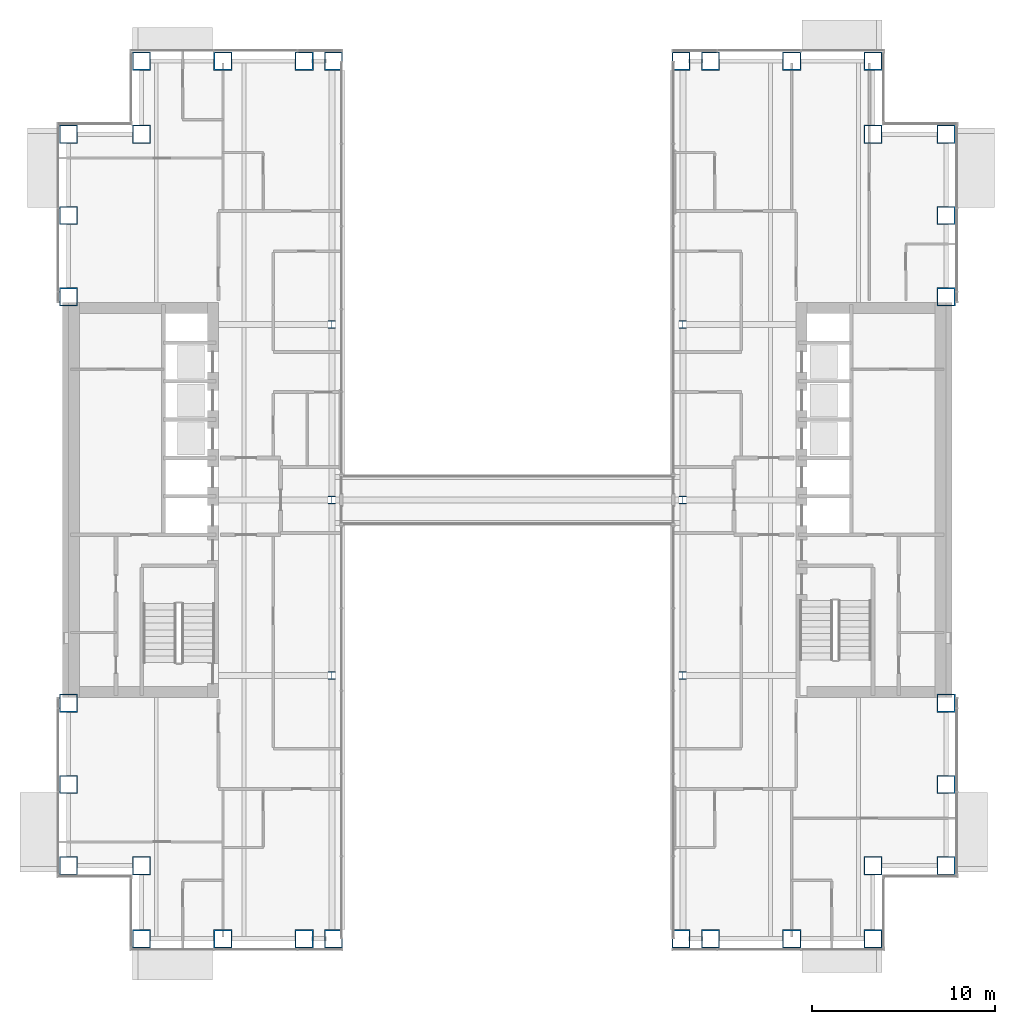
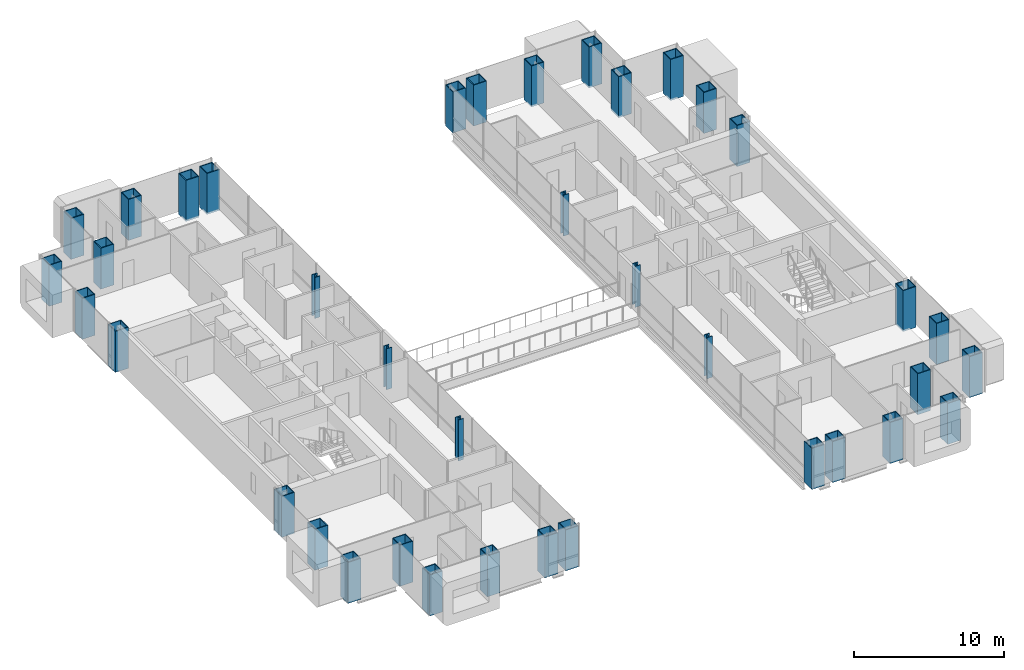
# One storey, part 1 of 21: 38 columns.
"""IFC4 building model written with IfcOpenShell, lengths in metres."""

from ifc_helpers import new_model, si_unit, direction, frame, origin, origin_2d, place, context, subcontext, project, spatial, hollow_rectangle, i_section, extrude, material, material_profile, profile_set, type_object, element, save


model = new_model("IFC4")

# Units and contexts
model_context = context("Model", 3, precision=1e-05, world=origin(), true_north=direction((0.0, 1.0)))
body_context = subcontext(model_context, "Body", "Model", "MODEL_VIEW")
ifc_project = project(units=[si_unit("LENGTHUNIT", "METRE"), si_unit("AREAUNIT", "SQUARE_METRE"), si_unit("VOLUMEUNIT", "CUBIC_METRE"), si_unit("PLANEANGLEUNIT", "RADIAN"), si_unit("MASSUNIT", "GRAM", prefix="KILO")], contexts=[model_context])

# Site, building, storey
site_placement = place(None, origin())
site = spatial("IfcSite", under=ifc_project, at=site_placement, CompositionType="ELEMENT")
building_placement = place(site_placement, origin())
building = spatial("IfcBuilding", under=site, at=building_placement, Name="Cobrizo Arcos Hotel Tower", CompositionType="ELEMENT")
storey_placement = place(building_placement, frame((0.0, 0.0, 81.0)))
storey = spatial("IfcBuildingStorey", under=building, at=storey_placement, Name="L19", CompositionType="ELEMENT", Elevation=81.0)

# Columns
ifc_material_1 = material(Name="Steel ASTM A572 Grade 50", Category="steel")
ifc_material_profile_1 = material_profile(ifc_material_1, hollow_rectangle(XDim=1.0, YDim=1.0, WallThickness=0.06005859375, at=origin_2d()), Name="BOX 1000X1000X60")
ifc_profile_set_1 = profile_set([ifc_material_profile_1], Name="Steel ASTM A572 Grade 50")
column_type_1 = type_object("IfcColumnType", Name="BOX 1000X1000X60 column", PredefinedType="COLUMN", material=ifc_profile_set_1)
for number, where, z_axis, x_axis, name in (
    (1, (-20.0, 24.0, -0.14990234375), (0.0, 0.0, 1.0), (1.0, 0.0, 0.0), "Perimeter column C4, L19, no. 00"),
    (2, (-20.0, -24.0, -0.14990234375), (0.0, 0.0, 1.0), (1.0, 0.0, 0.0), "Perimeter column C4, L19, no. 01"),
    (3, (-15.555908203125, 24.0, -0.14990234375), (0.0, 0.0, 1.0), (1.0, 0.0, 0.0), "Perimeter column C4, L19, no. 02"),
    (4, (-15.555908203125, -24.0, -0.14990234375), (0.0, 0.0, 1.0), (1.0, 0.0, 0.0), "Perimeter column C4, L19, no. 03"),
    (5, (-11.111083984375, 24.0, -0.14990234375), (0.0, 0.0, 1.0), (1.0, 0.0, 0.0), "Perimeter column C4, L19, no. 04"),
    (6, (-11.111083984375, -24.0, -0.14990234375), (0.0, 0.0, 1.0), (1.0, 0.0, 0.0), "Perimeter column C4, L19, no. 05"),
    (7, (11.111083984375, 24.0, -0.14990234375), (0.0, 0.0, 1.0), (1.0, 0.0, 0.0), "Perimeter column C4, L19, no. 06"),
    (8, (11.111083984375, -24.0, -0.14990234375), (0.0, 0.0, 1.0), (1.0, 0.0, 0.0), "Perimeter column C4, L19, no. 07"),
    (9, (15.555908203125, 24.0, -0.14990234375), (0.0, 0.0, 1.0), (1.0, 0.0, 0.0), "Perimeter column C4, L19, no. 08"),
    (10, (15.555908203125, -24.0, -0.14990234375), (0.0, 0.0, 1.0), (1.0, 0.0, 0.0), "Perimeter column C4, L19, no. 09"),
    (11, (20.0, 24.0, -0.14990234375), (0.0, 0.0, 1.0), (1.0, 0.0, 0.0), "Perimeter column C4, L19, no. 10"),
    (12, (20.0, -24.0, -0.14990234375), (0.0, 0.0, 1.0), (1.0, 0.0, 0.0), "Perimeter column C4, L19, no. 11"),
    (13, (24.0, -20.0, -0.14990234375), (0.0, 0.0, 1.0), (1.0, 0.0, 0.0), "Perimeter column C4, L19, no. 12"),
    (14, (-24.0, -20.0, -0.14990234375), (0.0, 0.0, 1.0), (1.0, 0.0, 0.0), "Perimeter column C4, L19, no. 13"),
    (15, (24.0, -15.555908203125, -0.14990234375), (0.0, 0.0, 1.0), (1.0, 0.0, 0.0), "Perimeter column C4, L19, no. 14"),
    (16, (-24.0, -15.555908203125, -0.14990234375), (0.0, 0.0, 1.0), (1.0, 0.0, 0.0), "Perimeter column C4, L19, no. 15"),
    (17, (24.0, -11.111083984375, -0.14990234375), (0.0, 0.0, 1.0), (1.0, 0.0, 0.0), "Perimeter column C4, L19, no. 16"),
    (18, (-24.0, -11.111083984375, -0.14990234375), (0.0, 0.0, 1.0), (1.0, 0.0, 0.0), "Perimeter column C4, L19, no. 17"),
    (19, (24.0, 11.111083984375, -0.14990234375), (0.0, 0.0, 1.0), (1.0, 0.0, 0.0), "Perimeter column C4, L19, no. 18"),
    (20, (-24.0, 11.111083984375, -0.14990234375), (0.0, 0.0, 1.0), (1.0, 0.0, 0.0), "Perimeter column C4, L19, no. 19"),
    (21, (24.0, 15.555908203125, -0.14990234375), (0.0, 0.0, 1.0), (1.0, 0.0, 0.0), "Perimeter column C4, L19, no. 20"),
    (22, (-24.0, 15.555908203125, -0.14990234375), (0.0, 0.0, 1.0), (1.0, 0.0, 0.0), "Perimeter column C4, L19, no. 21"),
    (23, (24.0, 20.0, -0.14990234375), (0.0, 0.0, 1.0), (1.0, 0.0, 0.0), "Perimeter column C4, L19, no. 22"),
    (24, (-24.0, 20.0, -0.14990234375), (0.0, 0.0, 1.0), (1.0, 0.0, 0.0), "Perimeter column C4, L19, no. 23"),
    (25, (-20.0, -20.0, -0.14990234375), (0.0, 0.0, 1.0), (1.0, 0.0, 0.0), "Perimeter column C4, L19, no. 24"),
    (26, (-20.0, 20.0, -0.14990234375), (0.0, 0.0, 1.0), (1.0, 0.0, 0.0), "Perimeter column C4, L19, no. 25"),
    (27, (20.0, -20.0, -0.14990234375), (0.0, 0.0, 1.0), (1.0, 0.0, 0.0), "Perimeter column C4, L19, no. 26"),
    (28, (20.0, 20.0, -0.14990234375), (0.0, 0.0, 1.0), (1.0, 0.0, 0.0), "Perimeter column C4, L19, no. 27"),
    (29, (-9.5, 24.0, -0.14990234375), (0.0, 0.0, 1.0), (1.0, 0.0, 0.0), "Perimeter column C4, L19, no. 28"),
    (30, (-9.5, -24.0, -0.14990234375), (0.0, 0.0, 1.0), (1.0, 0.0, 0.0), "Perimeter column C4, L19, no. 29"),
    (31, (9.5, 24.0, -0.14990234375), (0.0, 0.0, 1.0), (1.0, 0.0, 0.0), "Perimeter column C4, L19, no. 30"),
    (32, (9.5, -24.0, -0.14990234375), (0.0, 0.0, 1.0), (1.0, 0.0, 0.0), "Perimeter column C4, L19, no. 31"),
):
    element("IfcColumn", number, at=place(storey_placement, frame(where, z_axis=z_axis, x_axis=x_axis)), inside=storey, type_object=column_type_1, Name=name, PredefinedType="COLUMN", context=body_context, shape_type="SweptSolid", body=[
        extrude(hollow_rectangle(XDim=1.0, YDim=1.0, WallThickness=0.06005859375, at=origin_2d()), origin(), (0.0, 0.0, 1.0), 3.349853515625),
    ])
ifc_material_2 = material(Name="Steel ASTM A992 Grade 50", Category="steel")
ifc_material_profile_2 = material_profile(ifc_material_2, i_section(OverallWidth=0.408935546875, OverallDepth=0.42431640625, WebThickness=0.03271484375, FlangeThickness=0.052490234375, at=origin_2d()), Name="W14X283")
ifc_profile_set_2 = profile_set([ifc_material_profile_2], Name="Steel ASTM A992 Grade 50")
column_type_2 = type_object("IfcColumnType", Name="W14X283 interior column", PredefinedType="COLUMN", material=ifc_profile_set_2)
for number, where, z_axis, x_axis, name in (
    (33, (-9.60009765625, -9.60009765625, -0.14990234375), (0.0, 0.0, 1.0), (1.0, 0.0, 0.0), "Interior column C5, L19, no. 00"),
    (34, (-9.60009765625, 0.0, -0.14990234375), (0.0, 0.0, 1.0), (1.0, 0.0, 0.0), "Interior column C5, L19, no. 01"),
    (35, (-9.60009765625, 9.60009765625, -0.14990234375), (0.0, 0.0, 1.0), (1.0, 0.0, 0.0), "Interior column C5, L19, no. 02"),
    (36, (9.60009765625, -9.60009765625, -0.14990234375), (0.0, 0.0, 1.0), (1.0, 0.0, 0.0), "Interior column C5, L19, no. 03"),
    (37, (9.60009765625, 0.0, -0.14990234375), (0.0, 0.0, 1.0), (1.0, 0.0, 0.0), "Interior column C5, L19, no. 04"),
    (38, (9.60009765625, 9.60009765625, -0.14990234375), (0.0, 0.0, 1.0), (1.0, 0.0, 0.0), "Interior column C5, L19, no. 05"),
):
    element("IfcColumn", number, at=place(storey_placement, frame(where, z_axis=z_axis, x_axis=x_axis)), inside=storey, type_object=column_type_2, Name=name, PredefinedType="COLUMN", context=body_context, shape_type="SweptSolid", body=[
        extrude(i_section(OverallWidth=0.408935546875, OverallDepth=0.42431640625, WebThickness=0.03271484375, FlangeThickness=0.052490234375, at=origin_2d()), origin(), (0.0, 0.0, 1.0), 3.349853515625),
    ])

save(model, "model.ifc")
